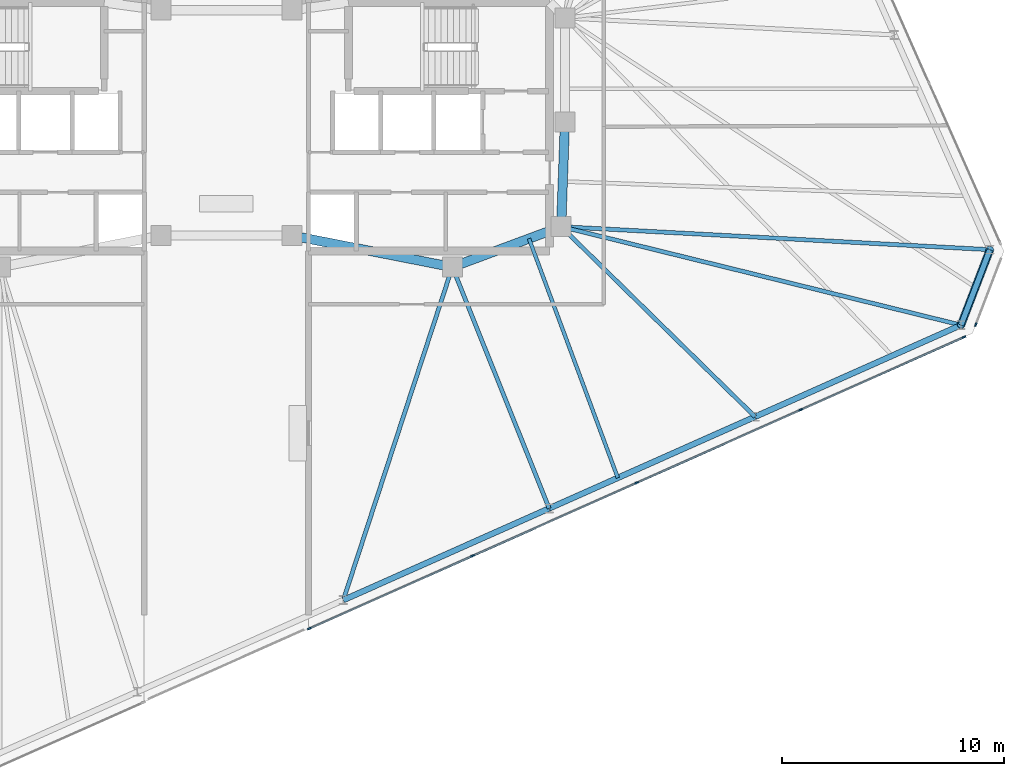
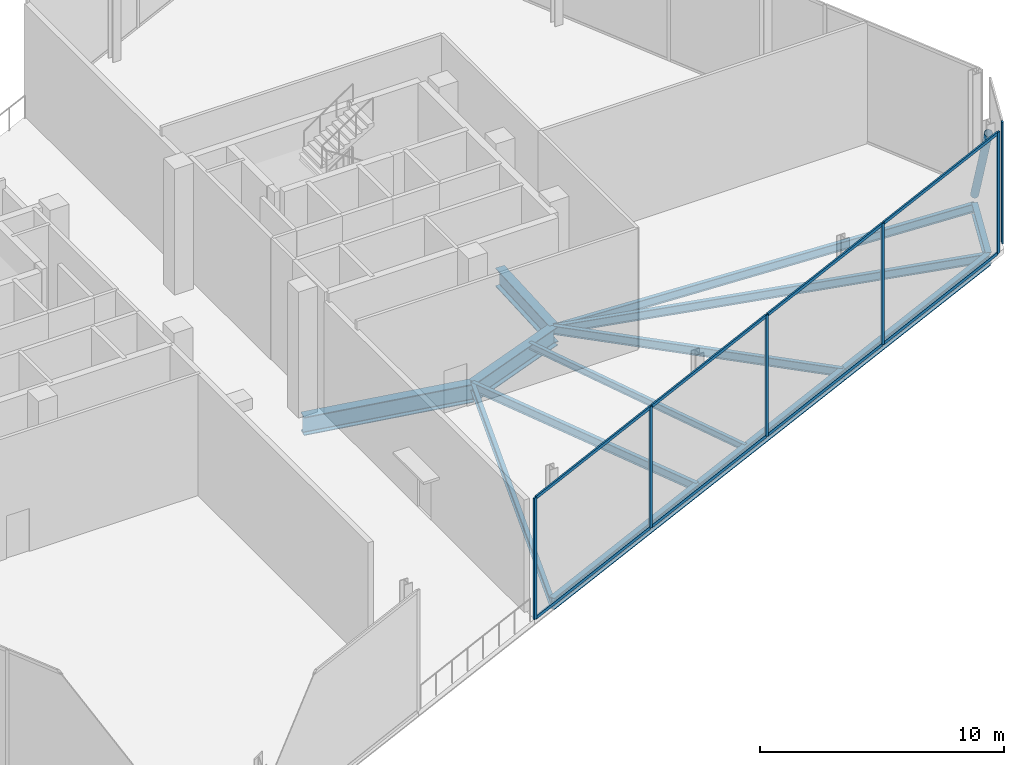
# One storey, part 8 of 16: 15 members, 13 beams, 2 elements without a shape of their own.
"""IFC4 building model written with IfcOpenShell, lengths in metres."""

from ifc_helpers import new_model, si_unit, direction, frame, origin, origin_2d, place, context, subcontext, project, spatial, rectangle, hollow_circle, i_section, extrude, material, material_profile, profile_set, type_object, element, aggregate, save


model = new_model("IFC4")

# Units and contexts
model_context = context("Model", 3, precision=1e-05, world=origin(), true_north=direction((0.0, 1.0)))
body_context = subcontext(model_context, "Body", "Model", "MODEL_VIEW")
ifc_project = project(units=[si_unit("LENGTHUNIT", "METRE"), si_unit("AREAUNIT", "SQUARE_METRE"), si_unit("VOLUMEUNIT", "CUBIC_METRE"), si_unit("PLANEANGLEUNIT", "RADIAN"), si_unit("MASSUNIT", "GRAM", prefix="KILO")], contexts=[model_context])

# Site, building, storey
site_placement = place(None, origin())
site = spatial("IfcSite", under=ifc_project, at=site_placement, CompositionType="ELEMENT")
building_placement = place(site_placement, origin())
building = spatial("IfcBuilding", under=site, at=building_placement, Name="Menara Jurai Vektor", CompositionType="ELEMENT")
storey_placement = place(building_placement, frame((0.0, 0.0, 275.60009765625)))
storey = spatial("IfcBuildingStorey", under=building, at=storey_placement, Name="L74", CompositionType="ELEMENT", Elevation=275.60009765625)

# Curtain wall, members
ifc_material_1 = material(Name="Anodised Pale Aluminium & Low-E Double Glazing", Category="aluminium")
curtain_wall_type = type_object("IfcCurtainWallType", Name="CW-BLK5", PredefinedType="NOTDEFINED", material=ifc_material_1)
curtain_wall_1_placement = place(storey_placement, origin())
curtain_wall_1 = element("IfcCurtainWall", 1, at=curtain_wall_1_placement, inside=storey, type_object=curtain_wall_type, Name="Unitised Curtain Wall L74 W2-02", PredefinedType="NOTDEFINED")
ifc_material_2 = material(Name="Anodised Pale Aluminium Mullion", Category="aluminium")
ifc_material_profile_1 = material_profile(ifc_material_2, rectangle(XDim=0.074951171875, YDim=0.175048828125, at=origin_2d()), Name="ALU MUL 75x175")
ifc_profile_set_1 = profile_set([ifc_material_profile_1], Name="Anodised Pale Aluminium Mullion")
member_type_1 = type_object("IfcMemberType", Name="CW-BLK5-MUL", PredefinedType="MULLION", material=ifc_profile_set_1)
member_1_placement = place(storey_placement, frame((3.734375, -22.60400390625, 0.0), z_axis=(0.0, 0.0, 1.0), x_axis=(-0.406736263679, 0.913545626561, 0.0)))
member_1 = element("IfcMember", 2, at=member_1_placement, type_object=member_type_1, Name="CW-05 mullion 1", PredefinedType="MULLION", context=body_context, shape_type="SweptSolid", body=[
    extrude(rectangle(XDim=0.074951171875, YDim=0.175048828125, at=origin_2d()), origin(), (0.0, 0.0, 1.0), 6.074951171875),
])
member_2_placement = place(storey_placement, frame((11.08984375, -19.3291015625, 0.0), z_axis=(0.0, 0.0, 1.0), x_axis=(-0.406736263679, 0.913545626561, 0.0)))
member_2 = element("IfcMember", 3, at=member_2_placement, type_object=member_type_1, Name="CW-05 mullion 2", PredefinedType="MULLION", context=body_context, shape_type="SweptSolid", body=[
    extrude(rectangle(XDim=0.074951171875, YDim=0.175048828125, at=origin_2d()), origin(), (0.0, 0.0, 1.0), 6.074951171875),
])
member_3_placement = place(storey_placement, frame((18.4794921875, -16.0390625, 0.0), z_axis=(0.0, 0.0, 1.0), x_axis=(-0.406736263679, 0.913545626561, 0.0)))
member_3 = element("IfcMember", 4, at=member_3_placement, type_object=member_type_1, Name="CW-05 mullion 3", PredefinedType="MULLION", context=body_context, shape_type="SweptSolid", body=[
    extrude(rectangle(XDim=0.074951171875, YDim=0.175048828125, at=origin_2d()), origin(), (0.0, 0.0, 1.0), 6.074951171875),
])
member_4_placement = place(storey_placement, frame((25.869140625, -12.7490234375, 0.0), z_axis=(0.0, 0.0, 1.0), x_axis=(-0.406736263679, 0.913545626561, 0.0)))
member_4 = element("IfcMember", 5, at=member_4_placement, type_object=member_type_1, Name="CW-05 mullion 4", PredefinedType="MULLION", context=body_context, shape_type="SweptSolid", body=[
    extrude(rectangle(XDim=0.074951171875, YDim=0.175048828125, at=origin_2d()), origin(), (0.0, 0.0, 1.0), 6.074951171875),
])
member_5_placement = place(storey_placement, frame((33.224853515625, -9.47412109375, 0.0), z_axis=(0.0, 0.0, 1.0), x_axis=(-0.406736263679, 0.913545626561, 0.0)))
member_5 = element("IfcMember", 6, at=member_5_placement, type_object=member_type_1, Name="CW-05 mullion 5", PredefinedType="MULLION", context=body_context, shape_type="SweptSolid", body=[
    extrude(rectangle(XDim=0.074951171875, YDim=0.175048828125, at=origin_2d()), origin(), (0.0, 0.0, 1.0), 6.074951171875),
])

# Curtain wall, member
curtain_wall_2_placement = place(storey_placement, origin())
curtain_wall_2 = element("IfcCurtainWall", 7, at=curtain_wall_2_placement, inside=storey, type_object=curtain_wall_type, Name="Unitised Curtain Wall L74 W2-03", PredefinedType="NOTDEFINED")
member_6_placement = place(storey_placement, frame((33.755859375, -8.914306640625, 0.0), z_axis=(0.0, 0.0, 1.0), x_axis=(-0.933578193639, 0.358373766287, 0.0)))
member_6 = element("IfcMember", 8, at=member_6_placement, type_object=member_type_1, Name="CW-05 mullion 1", PredefinedType="MULLION", context=body_context, shape_type="SweptSolid", body=[
    extrude(rectangle(XDim=0.074951171875, YDim=0.175048828125, at=origin_2d()), origin(), (0.0, 0.0, 1.0), 6.074951171875),
])
aggregate(curtain_wall_2, [member_6])

# Member
ifc_material_3 = material(Name="Anodised Pale Aluminium Transom", Category="aluminium")
ifc_material_profile_2 = material_profile(ifc_material_3, rectangle(XDim=0.074951171875, YDim=0.155029296875, at=origin_2d()), Name="ALU TRN 75x155")
ifc_profile_set_2 = profile_set([ifc_material_profile_2], Name="Anodised Pale Aluminium Transom")
member_type_2 = type_object("IfcMemberType", Name="CW-BLK5-TRN", PredefinedType="USERDEFINED", material=ifc_profile_set_2)
member_7_placement = place(storey_placement, frame((3.7685546875, -22.5888671875, 0.037353515625), z_axis=(0.91354250715, 0.406743269927, 0.0), x_axis=(-0.406743269927, 0.91354250715, 0.0)))
member_7 = element("IfcMember", 9, at=member_7_placement, type_object=member_type_2, Name="CW-05 transom 1.1", ObjectType="TRANSOM", PredefinedType="USERDEFINED", context=body_context, shape_type="SweptSolid", body=[
    extrude(rectangle(XDim=0.074951171875, YDim=0.155029296875, at=origin_2d()), origin(), (0.0, 0.0, 1.0), 7.9765625),
])

member_8_placement = place(storey_placement, frame((3.7685546875, -22.5888671875, 6.037353515625), z_axis=(0.91354250715, 0.406743269927, 0.0), x_axis=(-0.406743269927, 0.91354250715, 0.0)))
member_8 = element("IfcMember", 10, at=member_8_placement, type_object=member_type_2, Name="CW-05 transom 1.2", ObjectType="TRANSOM", PredefinedType="USERDEFINED", context=body_context, shape_type="SweptSolid", body=[
    extrude(rectangle(XDim=0.074951171875, YDim=0.155029296875, at=origin_2d()), origin(), (0.0, 0.0, 1.0), 7.9765625),
])

member_9_placement = place(storey_placement, frame((11.1240234375, -19.31396484375, 0.037353515625), z_axis=(0.913539999514, 0.406748902011, 0.0), x_axis=(-0.406748902011, 0.913539999514, 0.0)))
member_9 = element("IfcMember", 11, at=member_9_placement, type_object=member_type_2, Name="CW-05 transom 2.1", ObjectType="TRANSOM", PredefinedType="USERDEFINED", context=body_context, shape_type="SweptSolid", body=[
    extrude(rectangle(XDim=0.074951171875, YDim=0.155029296875, at=origin_2d()), origin(), (0.0, 0.0, 1.0), 8.01416015625),
])

member_10_placement = place(storey_placement, frame((11.1240234375, -19.31396484375, 6.037353515625), z_axis=(0.913539999514, 0.406748902011, 0.0), x_axis=(-0.406748902011, 0.913539999514, 0.0)))
member_10 = element("IfcMember", 12, at=member_10_placement, type_object=member_type_2, Name="CW-05 transom 2.2", ObjectType="TRANSOM", PredefinedType="USERDEFINED", context=body_context, shape_type="SweptSolid", body=[
    extrude(rectangle(XDim=0.074951171875, YDim=0.155029296875, at=origin_2d()), origin(), (0.0, 0.0, 1.0), 8.01416015625),
])

member_11_placement = place(storey_placement, frame((18.513671875, -16.023681640625, 0.037353515625), z_axis=(0.913551318977, 0.406723478047, 0.0), x_axis=(-0.406723478047, 0.913551318977, 0.0)))
member_11 = element("IfcMember", 13, at=member_11_placement, type_object=member_type_2, Name="CW-05 transom 3.1", ObjectType="TRANSOM", PredefinedType="USERDEFINED", context=body_context, shape_type="SweptSolid", body=[
    extrude(rectangle(XDim=0.074951171875, YDim=0.155029296875, at=origin_2d()), origin(), (0.0, 0.0, 1.0), 8.01416015625),
])

member_12_placement = place(storey_placement, frame((18.513671875, -16.023681640625, 6.037353515625), z_axis=(0.913551318977, 0.406723478047, 0.0), x_axis=(-0.406723478047, 0.913551318977, 0.0)))
member_12 = element("IfcMember", 14, at=member_12_placement, type_object=member_type_2, Name="CW-05 transom 3.2", ObjectType="TRANSOM", PredefinedType="USERDEFINED", context=body_context, shape_type="SweptSolid", body=[
    extrude(rectangle(XDim=0.074951171875, YDim=0.155029296875, at=origin_2d()), origin(), (0.0, 0.0, 1.0), 8.01416015625),
])

member_13_placement = place(storey_placement, frame((25.903564453125, -12.733642578125, 0.037353515625), z_axis=(0.91354250715, 0.406743269927, 0.0), x_axis=(-0.406743269927, 0.91354250715, 0.0)))
member_13 = element("IfcMember", 15, at=member_13_placement, type_object=member_type_2, Name="CW-05 transom 4.1", ObjectType="TRANSOM", PredefinedType="USERDEFINED", context=body_context, shape_type="SweptSolid", body=[
    extrude(rectangle(XDim=0.074951171875, YDim=0.155029296875, at=origin_2d()), origin(), (0.0, 0.0, 1.0), 7.9765625),
])

member_14_placement = place(storey_placement, frame((25.903564453125, -12.733642578125, 6.037353515625), z_axis=(0.91354250715, 0.406743269927, 0.0), x_axis=(-0.406743269927, 0.91354250715, 0.0)))
member_14 = element("IfcMember", 16, at=member_14_placement, type_object=member_type_2, Name="CW-05 transom 4.2", ObjectType="TRANSOM", PredefinedType="USERDEFINED", context=body_context, shape_type="SweptSolid", body=[
    extrude(rectangle(XDim=0.074951171875, YDim=0.155029296875, at=origin_2d()), origin(), (0.0, 0.0, 1.0), 7.9765625),
])

aggregate(curtain_wall_1, [member_1, member_2, member_3, member_4, member_5, member_7, member_8, member_9, member_10, member_11, member_12, member_13, member_14])

# Beams
ifc_material_4 = material(Name="Steel S355", Category="steel")
ifc_material_profile_3 = material_profile(ifc_material_4, i_section(OverallWidth=0.18505859375, OverallDepth=0.429931640625, WebThickness=0.010986328125, FlangeThickness=0.01806640625, at=origin_2d()), Name="PG 430x185x76")
ifc_profile_set_3 = profile_set([ifc_material_profile_3], Name="Steel S355")
beam_type_1 = type_object("IfcBeamType", Name="STR-BM-430", PredefinedType="BEAM", material=ifc_profile_set_3)
beam_1_placement = place(storey_placement, frame((5.267578125, -21.3193359375, -0.465087890625), z_axis=(0.311239486704, 0.950331511587, 0.0), x_axis=(-0.950331511587, 0.311239486704, 0.0)))
element("IfcBeam", 17, at=beam_1_placement, inside=storey, type_object=beam_type_1, Name="Radial Floor Girder L74-S3", PredefinedType="BEAM", context=body_context, shape_type="SweptSolid", body=[
    extrude(i_section(OverallWidth=0.18505859375, OverallDepth=0.429931640625, WebThickness=0.010986328125, FlangeThickness=0.01806640625, at=origin_2d()), origin(), (0.0, 0.0, 1.0), 15.783203125),
])
beam_2_placement = place(storey_placement, frame((14.541015625, -17.1904296875, -0.465087890625), z_axis=(-0.372342852726, 0.928095253745, 0.0), x_axis=(-0.928095253745, -0.372342852726, 0.0)))
element("IfcBeam", 18, at=beam_2_placement, inside=storey, type_object=beam_type_1, Name="Radial Floor Girder L74-S4", PredefinedType="BEAM", context=body_context, shape_type="SweptSolid", body=[
    extrude(i_section(OverallWidth=0.18505859375, OverallDepth=0.429931640625, WebThickness=0.010986328125, FlangeThickness=0.01806640625, at=origin_2d()), origin(), (0.0, 0.0, 1.0), 11.712646484375),
])
beam_3_placement = place(storey_placement, frame((23.814697265625, -13.061767578125, -0.465087890625), z_axis=(-0.714137598149, 0.70000535063, 0.0), x_axis=(-0.70000535063, -0.714137598149, 0.0)))
element("IfcBeam", 19, at=beam_3_placement, inside=storey, type_object=beam_type_1, Name="Radial Floor Girder L74-S5", PredefinedType="BEAM", context=body_context, shape_type="SweptSolid", body=[
    extrude(i_section(OverallWidth=0.18505859375, OverallDepth=0.429931640625, WebThickness=0.010986328125, FlangeThickness=0.01806640625, at=origin_2d()), origin(), (0.0, 0.0, 1.0), 12.23095703125),
])
beam_4_placement = place(storey_placement, frame((33.088134765625, -8.932861328125, -0.465087890625), z_axis=(-0.971013515776, 0.239024584888, 0.0), x_axis=(-0.239024584888, -0.971013515776, 0.0)))
element("IfcBeam", 20, at=beam_4_placement, inside=storey, type_object=beam_type_1, Name="Radial Floor Girder L74-S6", PredefinedType="BEAM", context=body_context, shape_type="SweptSolid", body=[
    extrude(i_section(OverallWidth=0.18505859375, OverallDepth=0.429931640625, WebThickness=0.010986328125, FlangeThickness=0.01806640625, at=origin_2d()), origin(), (0.0, 0.0, 1.0), 18.545654296875),
])
beam_5_placement = place(storey_placement, frame((34.3916015625, -5.536865234375, -0.465087890625), z_axis=(-0.998561718759, 0.053614306189, 0.0), x_axis=(-0.053614306189, -0.998561718759, 0.0)))
element("IfcBeam", 21, at=beam_5_placement, inside=storey, type_object=beam_type_1, Name="Radial Floor Girder L74-E1", PredefinedType="BEAM", context=body_context, shape_type="SweptSolid", body=[
    extrude(i_section(OverallWidth=0.18505859375, OverallDepth=0.429931640625, WebThickness=0.010986328125, FlangeThickness=0.01806640625, at=origin_2d()), origin(), (0.0, 0.0, 1.0), 19.33935546875),
])
ifc_material_5 = material(Name="Steel S460", Category="steel")
ifc_material_profile_4 = material_profile(ifc_material_5, i_section(OverallWidth=0.4208984375, OverallDepth=0.9208984375, WebThickness=0.02099609375, FlangeThickness=0.037109375, FilletRadius=0.02392578125, at=origin_2d()), Name="UKB 914x419x388")
ifc_profile_set_4 = profile_set([ifc_material_profile_4], Name="Steel S460")
beam_type_2 = type_object("IfcBeamType", Name="STR-BM-TR914", PredefinedType="BEAM", material=ifc_profile_set_4)
beam_6_placement = place(storey_placement, frame((15.080078125, -4.5, -0.710693359375), z_axis=(0.035977314146, 0.999352606874, 0.0), x_axis=(-0.999352606874, 0.035977314146, 0.0)))
element("IfcBeam", 22, at=beam_6_placement, inside=storey, type_object=beam_type_2, Name="Core Ring Header Girder L74-CHE-E2", PredefinedType="BEAM", context=body_context, shape_type="SweptSolid", body=[
    extrude(i_section(OverallWidth=0.4208984375, OverallDepth=0.9208984375, WebThickness=0.02099609375, FlangeThickness=0.037109375, FilletRadius=0.02392578125, at=origin_2d()), origin(), (0.0, 0.0, 1.0), 4.72314453125),
])
beam_7_placement = place(storey_placement, frame((10.179931640625, -6.320068359375, -0.710693359375), z_axis=(0.937424400887, 0.348188874925, 0.0), x_axis=(-0.348188874925, 0.937424400887, 0.0)))
element("IfcBeam", 23, at=beam_7_placement, inside=storey, type_object=beam_type_2, Name="Core Ring Header Girder L74-CHE-S1", PredefinedType="BEAM", context=body_context, shape_type="SweptSolid", body=[
    extrude(i_section(OverallWidth=0.4208984375, OverallDepth=0.9208984375, WebThickness=0.02099609375, FlangeThickness=0.037109375, FilletRadius=0.02392578125, at=origin_2d()), origin(), (0.0, 0.0, 1.0), 5.227294921875),
])
beam_8_placement = place(storey_placement, frame((2.949951171875, -4.89990234375, -0.710693359375), z_axis=(0.981249044334, -0.192744164614, 0.0), x_axis=(0.192744164614, 0.981249044334, 0.0)))
element("IfcBeam", 24, at=beam_8_placement, inside=storey, type_object=beam_type_2, Name="Core Ring Header Girder L74-CHE-S2", PredefinedType="BEAM", context=body_context, shape_type="SweptSolid", body=[
    extrude(i_section(OverallWidth=0.4208984375, OverallDepth=0.9208984375, WebThickness=0.02099609375, FlangeThickness=0.037109375, FilletRadius=0.02392578125, at=origin_2d()), origin(), (0.0, 0.0, 1.0), 7.3681640625),
])

# Member
ifc_material_profile_5 = material_profile(ifc_material_5, hollow_circle(Radius=0.177734375, WallThickness=0.01611328125, at=origin_2d()), Name="CHS 355.6x16")
ifc_profile_set_5 = profile_set([ifc_material_profile_5], Name="Steel S460")
member_type_3 = type_object("IfcMemberType", Name="STR-BR-356", PredefinedType="BRACE", material=ifc_profile_set_5)
member_15_placement = place(storey_placement, frame((34.3916015625, -5.536865234375, 0.14990234375), z_axis=(-0.195812227478, -0.510160720027, 0.83749245448), x_axis=(0.933592747566, -0.358335850414, 0.0)))
element("IfcMember", 25, at=member_15_placement, inside=storey, type_object=member_type_3, Name="Exoskeleton Corner Brace L74-1", PredefinedType="BRACE", context=body_context, shape_type="SweptSolid", body=[
    extrude(hollow_circle(Radius=0.177734375, WallThickness=0.01611328125, at=origin_2d()), origin(), (0.0, 0.0, 1.0), 6.65673828125),
])

# Beams
ifc_material_profile_6 = material_profile(ifc_material_4, i_section(OverallWidth=0.1650390625, OverallDepth=0.330078125, WebThickness=0.009033203125, FlangeThickness=0.013916015625, at=origin_2d()), Name="PG 330x165x46")
ifc_profile_set_6 = profile_set([ifc_material_profile_6], Name="Steel S355")
beam_type_3 = type_object("IfcBeamType", Name="STR-JS-330", PredefinedType="JOIST", material=ifc_profile_set_6)
beam_9_placement = place(storey_placement, frame((17.632080078125, -15.814208984375, -0.4150390625), z_axis=(-0.348172664726, 0.937430421705, 0.0), x_axis=(-0.937430421705, -0.348172664726, 0.0)))
element("IfcBeam", 26, at=beam_9_placement, inside=storey, type_object=beam_type_3, Name="Radial Secondary Floor Joist L74-JS03", PredefinedType="JOIST", context=body_context, shape_type="SweptSolid", body=[
    extrude(i_section(OverallWidth=0.1650390625, OverallDepth=0.330078125, WebThickness=0.009033203125, FlangeThickness=0.013916015625, at=origin_2d()), origin(), (0.0, 0.0, 1.0), 11.494873046875),
])
ifc_material_profile_7 = material_profile(ifc_material_4, i_section(OverallWidth=0.260009765625, OverallDepth=0.570068359375, WebThickness=0.013916015625, FlangeThickness=0.02392578125, at=origin_2d()), Name="PG 570x260x145")
ifc_profile_set_7 = profile_set([ifc_material_profile_7], Name="Steel S355")
beam_type_4 = type_object("IfcBeamType", Name="STR-SP-570", PredefinedType="SPANDREL", material=ifc_profile_set_7)
for number, where, z_axis, x_axis, name in (
    (27, (5.267578125, -21.3193359375, -0.53515625), (0.913541582548, 0.406745346568, 0.0), (-0.406745346568, 0.913541582548, 0.0), "Exoskeleton Spandrel Beam L74-03"),
    (28, (14.541015625, -17.1904296875, -0.53515625), (0.913554497648, 0.406716338284, 0.0), (-0.406716338284, 0.913554497648, 0.0), "Exoskeleton Spandrel Beam L74-04"),
    (29, (23.814697265625, -13.061767578125, -0.53515625), (0.913541582548, 0.406745346568, 0.0), (-0.406745346568, 0.913541582548, 0.0), "Exoskeleton Spandrel Beam L74-05"),
):
    element("IfcBeam", number, at=place(storey_placement, frame(where, z_axis=z_axis, x_axis=x_axis)), inside=storey, type_object=beam_type_4, Name=name, PredefinedType="SPANDREL", context=body_context, shape_type="SweptSolid", body=[
        extrude(i_section(OverallWidth=0.260009765625, OverallDepth=0.570068359375, WebThickness=0.013916015625, FlangeThickness=0.02392578125, at=origin_2d()), origin(), (0.0, 0.0, 1.0), 10.151123046875),
    ])
beam_10_placement = place(storey_placement, frame((33.088134765625, -8.932861328125, -0.53515625), z_axis=(0.358335850414, 0.933592747566, 0.0), x_axis=(-0.933592747566, 0.358335850414, 0.0)))
element("IfcBeam", 30, at=beam_10_placement, inside=storey, type_object=beam_type_4, Name="Exoskeleton Spandrel Beam L74-06", PredefinedType="SPANDREL", context=body_context, shape_type="SweptSolid", body=[
    extrude(i_section(OverallWidth=0.260009765625, OverallDepth=0.570068359375, WebThickness=0.013916015625, FlangeThickness=0.02392578125, at=origin_2d()), origin(), (0.0, 0.0, 1.0), 3.637451171875),
])

save(model, "model.ifc")
